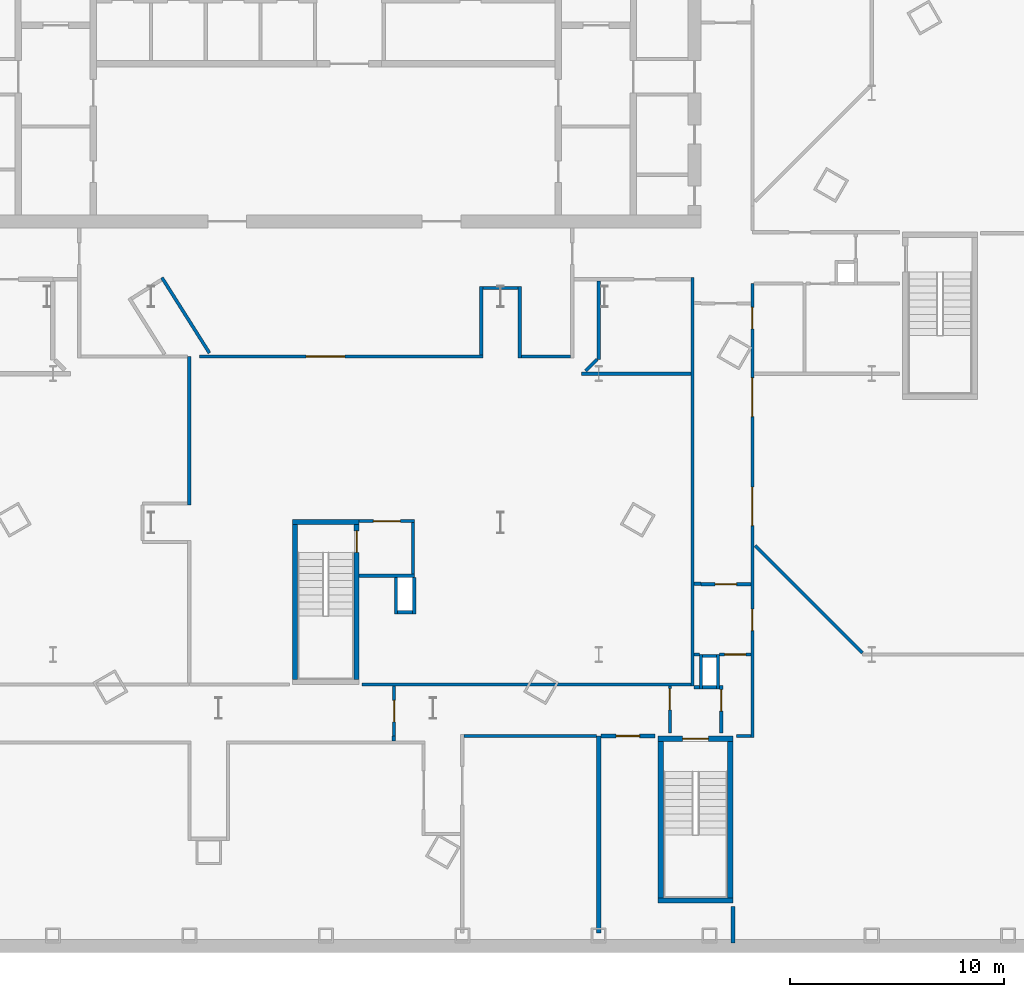
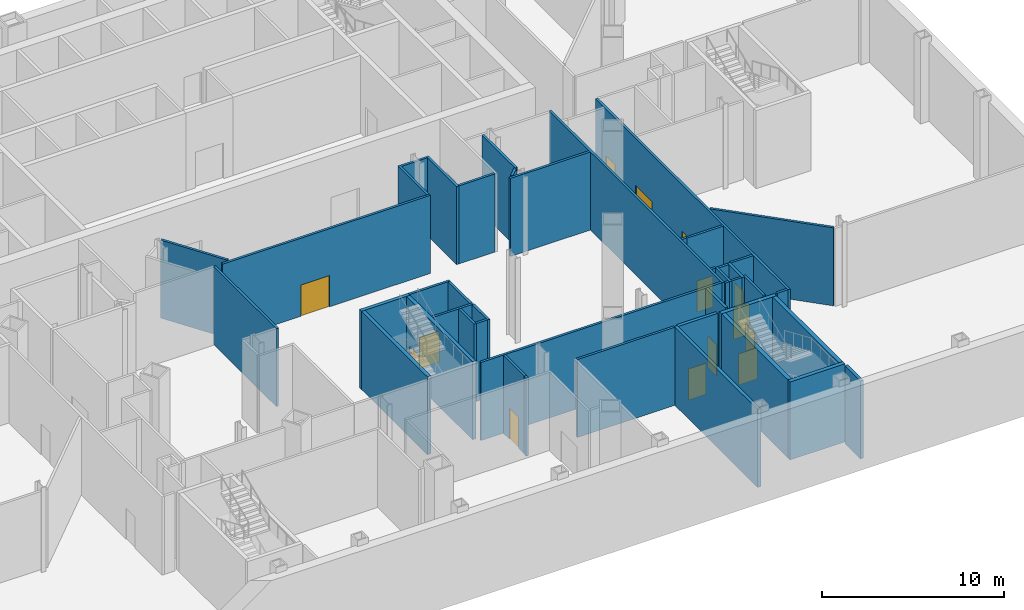
# One storey, part 7 of 18: 45 walls, 14 doors, 14 openings.
"""IFC4 building model written with IfcOpenShell, lengths in metres."""

from ifc_helpers import new_model, si_unit, direction, frame, frame_2d, origin, place, context, subcontext, project, spatial, rectangle, extrude, material, layer, layer_set, type_object, element, fill, save


model = new_model("IFC4")

# Units and contexts
model_context = context("Model", 3, precision=1e-05, world=origin(), true_north=direction((0.0, 1.0)))
body_context = subcontext(model_context, "Body", "Model", "MODEL_VIEW")
ifc_project = project(units=[si_unit("LENGTHUNIT", "METRE"), si_unit("AREAUNIT", "SQUARE_METRE"), si_unit("VOLUMEUNIT", "CUBIC_METRE"), si_unit("PLANEANGLEUNIT", "RADIAN"), si_unit("MASSUNIT", "GRAM", prefix="KILO")], contexts=[model_context])

# Site, building, storey
site_placement = place(None, origin())
site = spatial("IfcSite", under=ifc_project, at=site_placement, CompositionType="ELEMENT")
building_placement = place(site_placement, origin())
building = spatial("IfcBuilding", under=site, at=building_placement, Name="Njiva Tower", CompositionType="ELEMENT")
storey_placement = place(building_placement, frame((0.0, 0.0, -5.7)))
storey = spatial("IfcBuildingStorey", under=building, at=storey_placement, Name="B1", CompositionType="ELEMENT", Elevation=-5.7)

# Walls
ifc_material_1 = material(Name="Gypsum board on steel studs", Category="gypsum")
ifc_layer_1 = layer(ifc_material_1, 0.15)
ifc_layer_set_1 = layer_set([ifc_layer_1], Name="Gypsum board on steel studs")
wall_type_1 = type_object("IfcWallType", Name="WT21 Compartment wall 150", PredefinedType="PARTITIONING", material=ifc_layer_set_1)
wall_1_placement = place(storey_placement, frame((-7.642, -2.319, 0.0), z_axis=(0.0, 0.0, 1.0), x_axis=(0.532979114911, -0.846128396326, 0.0)))
element("IfcWall", 1, at=wall_1_placement, inside=storey, type_object=wall_type_1, Name="Partition B1-P056", PredefinedType="PARTITIONING", context=body_context, shape_type="SweptSolid", body=[
    extrude(rectangle(XDim=4.1578, YDim=0.15, at=frame_2d((2.0789, 0.0))), origin(), (0.0, 0.0, 1.0), 5.25),
])
wall_2_placement = place(storey_placement, frame((-6.367, -12.925, 0.0), z_axis=(0.0, 0.0, 1.0), x_axis=(0.0, 1.0, 0.0)))
element("IfcWall", 2, at=wall_2_placement, inside=storey, type_object=wall_type_1, Name="Partition B1-P058", PredefinedType="PARTITIONING", context=body_context, shape_type="SweptSolid", body=[
    extrude(rectangle(XDim=6.919, YDim=0.15, at=frame_2d((3.4595, 0.0))), origin(), (0.0, 0.0, 1.0), 5.25),
])

# Wall, opening, door
wall_3_placement = place(storey_placement, frame((-5.899, -6.0, 0.0), z_axis=(0.0, 0.0, 1.0), x_axis=(1.0, 0.0, 0.0)))
wall_3 = element("IfcWall", 3, at=wall_3_placement, inside=storey, type_object=wall_type_1, Name="Partition B1-P062", PredefinedType="PARTITIONING", context=body_context, shape_type="SweptSolid", body=[
    extrude(rectangle(XDim=13.224, YDim=0.15, at=frame_2d((6.612, 0.0))), origin(), (0.0, 0.0, 1.0), 5.25),
])
opening_1_placement = place(wall_3_placement, frame((4.985, 0.0, 0.0)))
opening_1 = element("IfcOpeningElement", 4, at=opening_1_placement, cuts=wall_3, Name="Opening B1-D016", PredefinedType="OPENING", context=body_context, shape_type="SweptSolid", body=[
    extrude(rectangle(XDim=1.8, YDim=2.1, at=frame_2d((0.9, 1.05))), frame((0.0, 0.085, 0.0), z_axis=(0.0, -1.0, 0.0), x_axis=(1.0, 0.0, 0.0)), (0.0, 0.0, 1.0), 0.17),
])
ifc_material_2 = material(Name="Steel fire door set", Category="steel")
door_type_1 = type_object("IfcDoorType", Name="D38 Fire door 1800x2100", OperationType="DOUBLE_DOOR_SINGLE_SWING", PredefinedType="DOOR", material=ifc_material_2)
door_1_placement = place(opening_1_placement, origin())
door_1 = element("IfcDoor", 5, at=door_1_placement, inside=storey, type_object=door_type_1, Name="Door B1-D016", OperationType="DOUBLE_DOOR_SINGLE_SWING", OverallHeight=2.1, OverallWidth=1.8, PredefinedType="DOOR", context=body_context, shape_type="SweptSolid", body=[
    extrude(rectangle(XDim=1.8, YDim=2.1, at=frame_2d((0.9, 1.05))), frame((0.0, 0.025, 0.0), z_axis=(0.0, -1.0, 0.0), x_axis=(1.0, 0.0, 0.0)), (0.0, 0.0, 1.0), 0.05),
])
fill(opening_1, door_1)

# Walls
wall_4_placement = place(storey_placement, frame((1.7, -21.3, 0.0), z_axis=(0.0, 0.0, 1.0), x_axis=(1.0, 0.0, 0.0)))
element("IfcWall", 6, at=wall_4_placement, inside=storey, type_object=wall_type_1, Name="Partition B1-P066", PredefinedType="PARTITIONING", context=body_context, shape_type="SweptSolid", body=[
    extrude(rectangle(XDim=15.325, YDim=0.15, at=frame_2d((7.6625, 0.0))), origin(), (0.0, 0.0, 1.0), 5.25),
])
wall_5_placement = place(storey_placement, frame((3.173, -23.925, 0.0), z_axis=(0.0, 0.0, 1.0), x_axis=(0.0, 1.0, 0.0)))
element("IfcWall", 7, at=wall_5_placement, inside=storey, type_object=wall_type_1, Name="Partition B1-P067", PredefinedType="PARTITIONING", context=body_context, shape_type="SweptSolid", body=[
    extrude(rectangle(XDim=0.225, YDim=0.15, at=frame_2d((0.1125, 0.0))), origin(), (0.0, 0.0, 1.0), 5.25),
])

# Wall, opening, door
wall_6_placement = place(storey_placement, frame((3.185, -23.7, 0.0), z_axis=(0.0, 0.0, 1.0), x_axis=(0.0, 1.0, 0.0)))
wall_6 = element("IfcWall", 8, at=wall_6_placement, inside=storey, type_object=wall_type_1, Name="Partition B1-P068", PredefinedType="PARTITIONING", context=body_context, shape_type="SweptSolid", body=[
    extrude(rectangle(XDim=2.325, YDim=0.15, at=frame_2d((1.1625, 0.0))), origin(), (0.0, 0.0, 1.0), 5.25),
])
opening_2_placement = place(wall_6_placement, frame((0.662, 0.0, 0.0)))
opening_2 = element("IfcOpeningElement", 9, at=opening_2_placement, cuts=wall_6, Name="Opening B1-D017", PredefinedType="OPENING", context=body_context, shape_type="SweptSolid", body=[
    extrude(rectangle(XDim=1.0, YDim=2.1, at=frame_2d((0.5, 1.05))), frame((0.0, 0.085, 0.0), z_axis=(0.0, -1.0, 0.0), x_axis=(1.0, 0.0, 0.0)), (0.0, 0.0, 1.0), 0.17),
])
door_type_2 = type_object("IfcDoorType", Name="D37 Fire door 1000x2100", OperationType="SINGLE_SWING_LEFT", PredefinedType="DOOR", material=ifc_material_2)
door_2_placement = place(opening_2_placement, origin())
door_2 = element("IfcDoor", 10, at=door_2_placement, inside=storey, type_object=door_type_2, Name="Door B1-D017", OperationType="SINGLE_SWING_LEFT", OverallHeight=2.1, OverallWidth=1.0, PredefinedType="DOOR", context=body_context, shape_type="SweptSolid", body=[
    extrude(rectangle(XDim=1.0, YDim=2.1, at=frame_2d((0.5, 1.05))), frame((0.0, 0.025, 0.0), z_axis=(0.0, -1.0, 0.0), x_axis=(1.0, 0.0, 0.0)), (0.0, 0.0, 1.0), 0.05),
])
fill(opening_2, door_2)

# Walls
wall_7_placement = place(storey_placement, frame((6.442, -23.7, 0.0), z_axis=(0.0, 0.0, 1.0), x_axis=(1.0, 0.0, 0.0)))
element("IfcWall", 11, at=wall_7_placement, inside=storey, type_object=wall_type_1, Name="Partition B1-P072", PredefinedType="PARTITIONING", context=body_context, shape_type="SweptSolid", body=[
    extrude(rectangle(XDim=6.191, YDim=0.15, at=frame_2d((3.0955, 0.0))), origin(), (0.0, 0.0, 1.0), 5.25),
])
wall_8_placement = place(storey_placement, frame((7.25, -5.925, 0.0), z_axis=(0.0, 0.0, 1.0), x_axis=(0.0, 1.0, 0.0)))
element("IfcWall", 12, at=wall_8_placement, inside=storey, type_object=wall_type_1, Name="Partition B1-P073", PredefinedType="PARTITIONING", context=body_context, shape_type="SweptSolid", body=[
    extrude(rectangle(XDim=3.2, YDim=0.15, at=frame_2d((1.6, 0.0))), origin(), (0.0, 0.0, 1.0), 5.25),
])
wall_9_placement = place(storey_placement, frame((7.325, -2.8, 0.0), z_axis=(0.0, 0.0, 1.0), x_axis=(1.0, 0.0, 0.0)))
element("IfcWall", 13, at=wall_9_placement, inside=storey, type_object=wall_type_1, Name="Partition B1-P074", PredefinedType="PARTITIONING", context=body_context, shape_type="SweptSolid", body=[
    extrude(rectangle(XDim=1.65, YDim=0.15, at=frame_2d((0.825, 0.0))), origin(), (0.0, 0.0, 1.0), 5.25),
])
wall_10_placement = place(storey_placement, frame((9.05, -6.075, 0.0), z_axis=(0.0, 0.0, 1.0), x_axis=(0.0, 1.0, 0.0)))
element("IfcWall", 14, at=wall_10_placement, inside=storey, type_object=wall_type_1, Name="Partition B1-P075", PredefinedType="PARTITIONING", context=body_context, shape_type="SweptSolid", body=[
    extrude(rectangle(XDim=3.35, YDim=0.15, at=frame_2d((1.675, 0.0))), origin(), (0.0, 0.0, 1.0), 5.25),
])
wall_11_placement = place(storey_placement, frame((9.125, -6.0, 0.0), z_axis=(0.0, 0.0, 1.0), x_axis=(1.0, 0.0, 0.0)))
element("IfcWall", 15, at=wall_11_placement, inside=storey, type_object=wall_type_1, Name="Partition B1-P076", PredefinedType="PARTITIONING", context=body_context, shape_type="SweptSolid", body=[
    extrude(rectangle(XDim=2.3, YDim=0.15, at=frame_2d((1.15, 0.0))), origin(), (0.0, 0.0, 1.0), 5.25),
])
wall_12_placement = place(storey_placement, frame((11.926, -6.8, 0.0), z_axis=(0.0, 0.0, 1.0), x_axis=(1.0, 0.0, 0.0)))
element("IfcWall", 16, at=wall_12_placement, inside=storey, type_object=wall_type_1, Name="Partition B1-P080", PredefinedType="PARTITIONING", context=body_context, shape_type="SweptSolid", body=[
    extrude(rectangle(XDim=5.099, YDim=0.15, at=frame_2d((2.5495, 0.0))), origin(), (0.0, 0.0, 1.0), 5.25),
])
wall_13_placement = place(storey_placement, frame((12.129, -6.672, 0.0), z_axis=(0.0, 0.0, 1.0), x_axis=(0.706438754443, 0.707774177419, 0.0)))
element("IfcWall", 17, at=wall_13_placement, inside=storey, type_object=wall_type_1, Name="Partition B1-P081", PredefinedType="PARTITIONING", context=body_context, shape_type="SweptSolid", body=[
    extrude(rectangle(XDim=0.7488, YDim=0.15, at=frame_2d((0.3744, 0.0))), origin(), (0.0, 0.0, 1.0), 5.25),
])
wall_14_placement = place(storey_placement, frame((12.733, -6.142, 0.0), z_axis=(0.0, 0.0, 1.0), x_axis=(0.0, 1.0, 0.0)))
element("IfcWall", 18, at=wall_14_placement, inside=storey, type_object=wall_type_1, Name="Partition B1-P083", PredefinedType="PARTITIONING", context=body_context, shape_type="SweptSolid", body=[
    extrude(rectangle(XDim=3.667, YDim=0.15, at=frame_2d((1.8335, 0.0))), origin(), (0.0, 0.0, 1.0), 5.25),
])

# Wall, opening, door
wall_15_placement = place(storey_placement, frame((16.05, -23.55, 0.0), z_axis=(0.0, 0.0, 1.0), x_axis=(0.0, 1.0, 0.0)))
wall_15 = element("IfcWall", 19, at=wall_15_placement, inside=storey, type_object=wall_type_1, Name="Partition B1-P085", PredefinedType="PARTITIONING", context=body_context, shape_type="SweptSolid", body=[
    extrude(rectangle(XDim=2.175, YDim=0.15, at=frame_2d((1.0875, 0.0))), origin(), (0.0, 0.0, 1.0), 5.25),
])
opening_3_placement = place(wall_15_placement, frame((1.063, 0.0, 0.0)))
opening_3 = element("IfcOpeningElement", 20, at=opening_3_placement, cuts=wall_15, Name="Opening B1-D023", PredefinedType="OPENING", context=body_context, shape_type="SweptSolid", body=[
    extrude(rectangle(XDim=1.0, YDim=2.1, at=frame_2d((0.5, 1.05))), frame((0.0, 0.085, 0.0), z_axis=(0.0, -1.0, 0.0), x_axis=(1.0, 0.0, 0.0)), (0.0, 0.0, 1.0), 0.17),
])
ifc_material_3 = material(Name="Glazed steel fire door", Category="steel")
door_type_3 = type_object("IfcDoorType", Name="D41 Glazed fire door 1000x2100", OperationType="SINGLE_SWING_LEFT", PredefinedType="DOOR", material=ifc_material_3)
door_3_placement = place(opening_3_placement, origin())
door_3 = element("IfcDoor", 21, at=door_3_placement, inside=storey, type_object=door_type_3, Name="Door B1-D023", OperationType="SINGLE_SWING_RIGHT", OverallHeight=2.1, OverallWidth=1.0, PredefinedType="DOOR", context=body_context, shape_type="SweptSolid", body=[
    extrude(rectangle(XDim=1.0, YDim=2.1, at=frame_2d((0.5, 1.05))), frame((0.0, 0.025, 0.0), z_axis=(0.0, -1.0, 0.0), x_axis=(1.0, 0.0, 0.0)), (0.0, 0.0, 1.0), 0.05),
])
fill(opening_3, door_3)

# Walls
wall_16_placement = place(storey_placement, frame((17.1, -21.375, 0.0), z_axis=(0.0, 0.0, 1.0), x_axis=(0.0, 1.0, 0.0)))
element("IfcWall", 22, at=wall_16_placement, inside=storey, type_object=wall_type_1, Name="Partition B1-P086", PredefinedType="PARTITIONING", context=body_context, shape_type="SweptSolid", body=[
    extrude(rectangle(XDim=19.05, YDim=0.15, at=frame_2d((9.525, 0.0))), origin(), (0.0, 0.0, 1.0), 5.25),
])
for number, where, z_axis, x_axis, name in (
    (23, (17.175, -21.425, 0.0), (0.0, 0.0, 1.0), (1.0, 0.0, 0.0), "Partition B1-P087"),
    (24, (17.175, -19.9, 0.0), (0.0, 0.0, 1.0), (1.0, 0.0, 0.0), "Partition B1-P088"),
):
    element("IfcWall", number, at=place(storey_placement, frame(where, z_axis=z_axis, x_axis=x_axis)), inside=storey, type_object=wall_type_1, Name=name, PredefinedType="PARTITIONING", context=body_context, shape_type="SweptSolid", body=[
        extrude(rectangle(XDim=0.25, YDim=0.15, at=frame_2d((0.125, 0.0))), origin(), (0.0, 0.0, 1.0), 5.25),
    ])
wall_17_placement = place(storey_placement, frame((17.175, -16.6, 0.0), z_axis=(0.0, 0.0, 1.0), x_axis=(1.0, 0.0, 0.0)))
element("IfcWall", 25, at=wall_17_placement, inside=storey, type_object=wall_type_1, Name="Partition B1-P089", PredefinedType="PARTITIONING", context=body_context, shape_type="SweptSolid", body=[
    extrude(rectangle(XDim=0.325, YDim=0.15, at=frame_2d((0.1625, 0.0))), origin(), (0.0, 0.0, 1.0), 5.25),
])

# Wall, opening, door
wall_18_placement = place(storey_placement, frame((17.5, -16.625, 0.0), z_axis=(0.0, 0.0, 1.0), x_axis=(1.0, 0.0, 0.0)))
wall_18 = element("IfcWall", 26, at=wall_18_placement, inside=storey, type_object=wall_type_1, Name="Partition B1-P092", PredefinedType="PARTITIONING", context=body_context, shape_type="SweptSolid", body=[
    extrude(rectangle(XDim=2.325, YDim=0.15, at=frame_2d((1.1625, 0.0))), origin(), (0.0, 0.0, 1.0), 5.25),
])
opening_4_placement = place(wall_18_placement, frame((0.662, 0.0, 0.0)))
opening_4 = element("IfcOpeningElement", 27, at=opening_4_placement, cuts=wall_18, Name="Opening B1-D024", PredefinedType="OPENING", context=body_context, shape_type="SweptSolid", body=[
    extrude(rectangle(XDim=1.0, YDim=2.1, at=frame_2d((0.5, 1.05))), frame((0.0, 0.085, 0.0), z_axis=(0.0, -1.0, 0.0), x_axis=(1.0, 0.0, 0.0)), (0.0, 0.0, 1.0), 0.17),
])
door_4_placement = place(opening_4_placement, origin())
door_4 = element("IfcDoor", 28, at=door_4_placement, inside=storey, type_object=door_type_2, Name="Door B1-D024", OperationType="SINGLE_SWING_RIGHT", OverallHeight=2.1, OverallWidth=1.0, PredefinedType="DOOR", context=body_context, shape_type="SweptSolid", body=[
    extrude(rectangle(XDim=1.0, YDim=2.1, at=frame_2d((0.5, 1.05))), frame((0.0, 0.025, 0.0), z_axis=(0.0, -1.0, 0.0), x_axis=(1.0, 0.0, 0.0)), (0.0, 0.0, 1.0), 0.05),
])
fill(opening_4, door_4)

wall_19_placement = place(storey_placement, frame((18.375, -19.9, 0.0), z_axis=(0.0, 0.0, 1.0), x_axis=(1.0, 0.0, 0.0)))
wall_19 = element("IfcWall", 29, at=wall_19_placement, inside=storey, type_object=wall_type_1, Name="Partition B1-P099", PredefinedType="PARTITIONING", context=body_context, shape_type="SweptSolid", body=[
    extrude(rectangle(XDim=1.45, YDim=0.15, at=frame_2d((0.725, 0.0))), origin(), (0.0, 0.0, 1.0), 5.25),
])
opening_5_placement = place(wall_19_placement, frame((0.225, 0.0, 0.0)))
opening_5 = element("IfcOpeningElement", 30, at=opening_5_placement, cuts=wall_19, Name="Opening B1-D027", PredefinedType="OPENING", context=body_context, shape_type="SweptSolid", body=[
    extrude(rectangle(XDim=1.0, YDim=2.1, at=frame_2d((0.5, 1.05))), frame((0.0, 0.085, 0.0), z_axis=(0.0, -1.0, 0.0), x_axis=(1.0, 0.0, 0.0)), (0.0, 0.0, 1.0), 0.17),
])
door_5_placement = place(opening_5_placement, origin())
door_5 = element("IfcDoor", 31, at=door_5_placement, inside=storey, type_object=door_type_2, Name="Door B1-D027", OperationType="SINGLE_SWING_LEFT", OverallHeight=2.1, OverallWidth=1.0, PredefinedType="DOOR", context=body_context, shape_type="SweptSolid", body=[
    extrude(rectangle(XDim=1.0, YDim=2.1, at=frame_2d((0.5, 1.05))), frame((0.0, 0.025, 0.0), z_axis=(0.0, -1.0, 0.0), x_axis=(1.0, 0.0, 0.0)), (0.0, 0.0, 1.0), 0.05),
])
fill(opening_5, door_5)

wall_20_placement = place(storey_placement, frame((18.45, -23.55, 0.0), z_axis=(0.0, 0.0, 1.0), x_axis=(0.0, 1.0, 0.0)))
wall_20 = element("IfcWall", 32, at=wall_20_placement, inside=storey, type_object=wall_type_1, Name="Partition B1-P100", PredefinedType="PARTITIONING", context=body_context, shape_type="SweptSolid", body=[
    extrude(rectangle(XDim=2.2, YDim=0.15, at=frame_2d((1.1, 0.0))), origin(), (0.0, 0.0, 1.0), 5.25),
])
opening_6_placement = place(wall_20_placement, frame((1.013, 0.0, 0.0)))
opening_6 = element("IfcOpeningElement", 33, at=opening_6_placement, cuts=wall_20, Name="Opening B1-D028", PredefinedType="OPENING", context=body_context, shape_type="SweptSolid", body=[
    extrude(rectangle(XDim=1.0, YDim=2.1, at=frame_2d((0.5, 1.05))), frame((0.0, 0.085, 0.0), z_axis=(0.0, -1.0, 0.0), x_axis=(1.0, 0.0, 0.0)), (0.0, 0.0, 1.0), 0.17),
])
door_6_placement = place(opening_6_placement, origin())
door_6 = element("IfcDoor", 34, at=door_6_placement, inside=storey, type_object=door_type_3, Name="Door B1-D028", OperationType="SINGLE_SWING_LEFT", OverallHeight=2.1, OverallWidth=1.0, PredefinedType="DOOR", context=body_context, shape_type="SweptSolid", body=[
    extrude(rectangle(XDim=1.0, YDim=2.1, at=frame_2d((0.5, 1.05))), frame((0.0, 0.025, 0.0), z_axis=(0.0, -1.0, 0.0), x_axis=(1.0, 0.0, 0.0)), (0.0, 0.0, 1.0), 0.05),
])
fill(opening_6, door_6)

# Wall
wall_21_placement = place(storey_placement, frame((19.15, -23.7, 0.0), z_axis=(0.0, 0.0, 1.0), x_axis=(1.0, 0.0, 0.0)))
element("IfcWall", 35, at=wall_21_placement, inside=storey, type_object=wall_type_1, Name="Partition B1-P102", PredefinedType="PARTITIONING", context=body_context, shape_type="SweptSolid", body=[
    extrude(rectangle(XDim=0.675, YDim=0.15, at=frame_2d((0.3375, 0.0))), origin(), (0.0, 0.0, 1.0), 5.25),
])

# Wall, openings, doors
wall_22_placement = place(storey_placement, frame((19.9, -23.775, 0.0), z_axis=(0.0, 0.0, 1.0), x_axis=(0.0, 1.0, 0.0)))
wall_22 = element("IfcWall", 36, at=wall_22_placement, inside=storey, type_object=wall_type_1, Name="Partition B1-P103", PredefinedType="PARTITIONING", context=body_context, shape_type="SweptSolid", body=[
    extrude(rectangle(XDim=21.187, YDim=0.15, at=frame_2d((10.5935, 0.0))), origin(), (0.0, 0.0, 1.0), 5.25),
])
opening_7_placement = place(wall_22_placement, frame((4.987, 0.0, 0.0)))
opening_7 = element("IfcOpeningElement", 37, at=opening_7_placement, cuts=wall_22, Name="Opening B1-D029", PredefinedType="OPENING", context=body_context, shape_type="SweptSolid", body=[
    extrude(rectangle(XDim=1.0, YDim=2.1, at=frame_2d((0.5, 1.05))), frame((0.0, 0.085, 0.0), z_axis=(0.0, -1.0, 0.0), x_axis=(1.0, 0.0, 0.0)), (0.0, 0.0, 1.0), 0.17),
])
opening_8_placement = place(wall_22_placement, frame((9.886, 0.0, 0.0)))
opening_8 = element("IfcOpeningElement", 38, at=opening_8_placement, cuts=wall_22, Name="Opening B1-D030", PredefinedType="OPENING", context=body_context, shape_type="SweptSolid", body=[
    extrude(rectangle(XDim=1.8, YDim=2.1, at=frame_2d((0.9, 1.05))), frame((0.0, 0.085, 0.0), z_axis=(0.0, -1.0, 0.0), x_axis=(1.0, 0.0, 0.0)), (0.0, 0.0, 1.0), 0.17),
])
opening_9_placement = place(wall_22_placement, frame((14.973, 0.0, 0.0)))
opening_9 = element("IfcOpeningElement", 39, at=opening_9_placement, cuts=wall_22, Name="Opening B1-D031", PredefinedType="OPENING", context=body_context, shape_type="SweptSolid", body=[
    extrude(rectangle(XDim=1.8, YDim=2.1, at=frame_2d((0.9, 1.05))), frame((0.0, 0.085, 0.0), z_axis=(0.0, -1.0, 0.0), x_axis=(1.0, 0.0, 0.0)), (0.0, 0.0, 1.0), 0.17),
])
opening_10_placement = place(wall_22_placement, frame((19.062, 0.0, 0.0)))
opening_10 = element("IfcOpeningElement", 40, at=opening_10_placement, cuts=wall_22, Name="Opening B1-D032", PredefinedType="OPENING", context=body_context, shape_type="SweptSolid", body=[
    extrude(rectangle(XDim=1.0, YDim=2.1, at=frame_2d((0.5, 1.05))), frame((0.0, 0.085, 0.0), z_axis=(0.0, -1.0, 0.0), x_axis=(1.0, 0.0, 0.0)), (0.0, 0.0, 1.0), 0.17),
])
door_7_placement = place(opening_7_placement, origin())
door_7 = element("IfcDoor", 41, at=door_7_placement, inside=storey, type_object=door_type_2, Name="Door B1-D029", OperationType="SINGLE_SWING_LEFT", OverallHeight=2.1, OverallWidth=1.0, PredefinedType="DOOR", context=body_context, shape_type="SweptSolid", body=[
    extrude(rectangle(XDim=1.0, YDim=2.1, at=frame_2d((0.5, 1.05))), frame((0.0, 0.025, 0.0), z_axis=(0.0, -1.0, 0.0), x_axis=(1.0, 0.0, 0.0)), (0.0, 0.0, 1.0), 0.05),
])
fill(opening_7, door_7)
door_8_placement = place(opening_10_placement, origin())
door_8 = element("IfcDoor", 42, at=door_8_placement, inside=storey, type_object=door_type_2, Name="Door B1-D032", OperationType="SINGLE_SWING_RIGHT", OverallHeight=2.1, OverallWidth=1.0, PredefinedType="DOOR", context=body_context, shape_type="SweptSolid", body=[
    extrude(rectangle(XDim=1.0, YDim=2.1, at=frame_2d((0.5, 1.05))), frame((0.0, 0.025, 0.0), z_axis=(0.0, -1.0, 0.0), x_axis=(1.0, 0.0, 0.0)), (0.0, 0.0, 1.0), 0.05),
])
fill(opening_10, door_8)
door_9_placement = place(opening_8_placement, origin())
door_9 = element("IfcDoor", 43, at=door_9_placement, inside=storey, type_object=door_type_1, Name="Door B1-D030", OperationType="DOUBLE_DOOR_SINGLE_SWING", OverallHeight=2.1, OverallWidth=1.8, PredefinedType="DOOR", context=body_context, shape_type="SweptSolid", body=[
    extrude(rectangle(XDim=1.8, YDim=2.1, at=frame_2d((0.9, 1.05))), frame((0.0, 0.025, 0.0), z_axis=(0.0, -1.0, 0.0), x_axis=(1.0, 0.0, 0.0)), (0.0, 0.0, 1.0), 0.05),
])
fill(opening_8, door_9)
door_10_placement = place(opening_9_placement, origin())
door_10 = element("IfcDoor", 44, at=door_10_placement, inside=storey, type_object=door_type_1, Name="Door B1-D031", OperationType="DOUBLE_DOOR_SINGLE_SWING", OverallHeight=2.1, OverallWidth=1.8, PredefinedType="DOOR", context=body_context, shape_type="SweptSolid", body=[
    extrude(rectangle(XDim=1.8, YDim=2.1, at=frame_2d((0.9, 1.05))), frame((0.0, 0.025, 0.0), z_axis=(0.0, -1.0, 0.0), x_axis=(1.0, 0.0, 0.0)), (0.0, 0.0, 1.0), 0.05),
])
fill(opening_9, door_10)

# Walls
wall_23_placement = place(storey_placement, frame((20.028, -14.827, 0.0), z_axis=(0.0, 0.0, 1.0), x_axis=(0.707106781187, -0.707106781187, 0.0)))
element("IfcWall", 45, at=wall_23_placement, inside=storey, type_object=wall_type_1, Name="Partition B1-P112", PredefinedType="PARTITIONING", context=body_context, shape_type="SweptSolid", body=[
    extrude(rectangle(XDim=7.0682, YDim=0.15, at=frame_2d((3.5341, 0.0))), origin(), (0.0, 0.0, 1.0), 5.25),
])
ifc_material_4 = material(Name="Blockwork", Category="masonry")
ifc_layer_2 = layer(ifc_material_4, 0.2)
ifc_layer_set_2 = layer_set([ifc_layer_2], Name="Blockwork")
wall_type_2 = type_object("IfcWallType", Name="WT22 Plant room wall 200", PredefinedType="PARTITIONING", material=ifc_layer_set_2)
wall_24_placement = place(storey_placement, frame((12.733, -32.9, 0.0), z_axis=(0.0, 0.0, 1.0), x_axis=(0.0, 1.0, 0.0)))
element("IfcWall", 46, at=wall_24_placement, inside=storey, type_object=wall_type_2, Name="Partition B1-P082", PredefinedType="PARTITIONING", context=body_context, shape_type="SweptSolid", body=[
    extrude(rectangle(XDim=9.2, YDim=0.2, at=frame_2d((4.6, 0.0))), origin(), (0.0, 0.0, 1.0), 5.25),
])

# Wall, opening, door
wall_25_placement = place(storey_placement, frame((12.833, -23.7, 0.0), z_axis=(0.0, 0.0, 1.0), x_axis=(1.0, 0.0, 0.0)))
wall_25 = element("IfcWall", 47, at=wall_25_placement, inside=storey, type_object=wall_type_2, Name="Partition B1-P084", PredefinedType="PARTITIONING", context=body_context, shape_type="SweptSolid", body=[
    extrude(rectangle(XDim=2.517, YDim=0.2, at=frame_2d((1.2585, 0.0))), origin(), (0.0, 0.0, 1.0), 5.25),
])
opening_11_placement = place(wall_25_placement, frame((0.708, 0.0, 0.0)))
opening_11 = element("IfcOpeningElement", 48, at=opening_11_placement, cuts=wall_25, Name="Opening B1-D022", PredefinedType="OPENING", context=body_context, shape_type="SweptSolid", body=[
    extrude(rectangle(XDim=1.1, YDim=2.1, at=frame_2d((0.55, 1.05))), frame((0.0, 0.11, 0.0), z_axis=(0.0, -1.0, 0.0), x_axis=(1.0, 0.0, 0.0)), (0.0, 0.0, 1.0), 0.22),
])
ifc_material_5 = material(Name="Steel door set", Category="steel")
door_type_4 = type_object("IfcDoorType", Name="D34 Plant door 1100x2100", OperationType="SINGLE_SWING_LEFT", PredefinedType="DOOR", material=ifc_material_5)
door_11_placement = place(opening_11_placement, origin())
door_11 = element("IfcDoor", 49, at=door_11_placement, inside=storey, type_object=door_type_4, Name="Door B1-D022", OperationType="SINGLE_SWING_LEFT", OverallHeight=2.1, OverallWidth=1.1, PredefinedType="DOOR", context=body_context, shape_type="SweptSolid", body=[
    extrude(rectangle(XDim=1.1, YDim=2.1, at=frame_2d((0.55, 1.05))), frame((0.0, 0.025, 0.0), z_axis=(0.0, -1.0, 0.0), x_axis=(1.0, 0.0, 0.0)), (0.0, 0.0, 1.0), 0.05),
])
fill(opening_11, door_11)

# Walls
wall_26_placement = place(storey_placement, frame((19.0, -33.348, 0.0), z_axis=(0.0, 0.0, 1.0), x_axis=(0.0, 1.0, 0.0)))
element("IfcWall", 50, at=wall_26_placement, inside=storey, type_object=wall_type_2, Name="Partition B1-P101", PredefinedType="PARTITIONING", context=body_context, shape_type="SweptSolid", body=[
    extrude(rectangle(XDim=1.698, YDim=0.2, at=frame_2d((0.849, 0.0))), origin(), (0.0, 0.0, 1.0), 5.25),
])
ifc_layer_3 = layer(ifc_material_1, 0.15)
ifc_layer_set_3 = layer_set([ifc_layer_3], Name="Gypsum board on steel studs")
wall_type_3 = type_object("IfcWallType", Name="WT24 Riser room wall 150", PredefinedType="PARTITIONING", material=ifc_layer_set_3)
wall_27_placement = place(storey_placement, frame((17.5, -21.5, 0.0), z_axis=(0.0, 0.0, 1.0), x_axis=(0.0, 1.0, 0.0)))
element("IfcWall", 51, at=wall_27_placement, inside=storey, type_object=wall_type_3, Name="Partition B1-P091", PredefinedType="PARTITIONING", context=body_context, shape_type="SweptSolid", body=[
    extrude(rectangle(XDim=1.6, YDim=0.15, at=frame_2d((0.8, 0.0))), origin(), (0.0, 0.0, 1.0), 5.25),
])
for number, where, z_axis, x_axis, name in (
    (52, (17.575, -21.425, 0.0), (0.0, 0.0, 1.0), (1.0, 0.0, 0.0), "Partition B1-P096"),
    (53, (17.575, -19.975, 0.0), (0.0, 0.0, 1.0), (1.0, 0.0, 0.0), "Partition B1-P097"),
):
    element("IfcWall", number, at=place(storey_placement, frame(where, z_axis=z_axis, x_axis=x_axis)), inside=storey, type_object=wall_type_3, Name=name, PredefinedType="PARTITIONING", context=body_context, shape_type="SweptSolid", body=[
        extrude(rectangle(XDim=0.65, YDim=0.15, at=frame_2d((0.325, 0.0))), origin(), (0.0, 0.0, 1.0), 5.25),
    ])
wall_28_placement = place(storey_placement, frame((18.3, -21.5, 0.0), z_axis=(0.0, 0.0, 1.0), x_axis=(0.0, 1.0, 0.0)))
element("IfcWall", 54, at=wall_28_placement, inside=storey, type_object=wall_type_3, Name="Partition B1-P098", PredefinedType="PARTITIONING", context=body_context, shape_type="SweptSolid", body=[
    extrude(rectangle(XDim=1.6, YDim=0.15, at=frame_2d((0.8, 0.0))), origin(), (0.0, 0.0, 1.0), 5.25),
])
ifc_layer_4 = layer(ifc_material_4, 0.15)
ifc_layer_set_4 = layer_set([ifc_layer_4], Name="Blockwork")
wall_type_4 = type_object("IfcWallType", Name="WT4 Stair partition 150", PredefinedType="PARTITIONING", material=ifc_layer_set_4)
wall_29_placement = place(storey_placement, frame((1.55, -16.225, 0.0), z_axis=(0.0, 0.0, 1.0), x_axis=(1.0, 0.0, 0.0)))
element("IfcWall", 55, at=wall_29_placement, inside=storey, type_object=wall_type_4, Name="Stair C vestibule wall south", PredefinedType="PARTITIONING", context=body_context, shape_type="SweptSolid", body=[
    extrude(rectangle(XDim=2.6, YDim=0.15, at=frame_2d((1.3, 0.0))), origin(), (0.0, 0.0, 1.0), 5.25),
])
wall_30_placement = place(storey_placement, frame((4.075, -16.15, 0.0), z_axis=(0.0, 0.0, 1.0), x_axis=(0.0, 1.0, 0.0)))
element("IfcWall", 56, at=wall_30_placement, inside=storey, type_object=wall_type_4, Name="Stair C vestibule wall east", PredefinedType="PARTITIONING", context=body_context, shape_type="SweptSolid", body=[
    extrude(rectangle(XDim=2.4, YDim=0.15, at=frame_2d((1.2, 0.0))), origin(), (0.0, 0.0, 1.0), 5.25),
])

# Wall, opening, door
wall_31_placement = place(storey_placement, frame((1.55, -13.675, 0.0), z_axis=(0.0, 0.0, 1.0), x_axis=(1.0, 0.0, 0.0)))
wall_31 = element("IfcWall", 57, at=wall_31_placement, inside=storey, type_object=wall_type_4, Name="Stair C vestibule wall north", PredefinedType="PARTITIONING", context=body_context, shape_type="SweptSolid", body=[
    extrude(rectangle(XDim=2.6, YDim=0.15, at=frame_2d((1.3, 0.0))), origin(), (0.0, 0.0, 1.0), 5.25),
])
opening_12_placement = place(wall_31_placement, frame((0.675, 0.0, 0.0)))
opening_12 = element("IfcOpeningElement", 58, at=opening_12_placement, cuts=wall_31, Name="Opening B1-D938", PredefinedType="OPENING", context=body_context, shape_type="SweptSolid", body=[
    extrude(rectangle(XDim=1.25, YDim=2.1, at=frame_2d((0.625, 1.05))), frame((0.0, 0.085, 0.0), z_axis=(0.0, -1.0, 0.0), x_axis=(1.0, 0.0, 0.0)), (0.0, 0.0, 1.0), 0.17),
])
door_type_5 = type_object("IfcDoorType", Name="D8 Vestibule corridor door 1250x2100 glazed", OperationType="SINGLE_SWING_LEFT", PredefinedType="DOOR", material=ifc_material_3)
door_12_placement = place(opening_12_placement, origin())
door_12 = element("IfcDoor", 59, at=door_12_placement, inside=storey, type_object=door_type_5, Name="Stair vestibule corridor door", OperationType="SINGLE_SWING_RIGHT", OverallHeight=2.1, OverallWidth=1.25, PredefinedType="DOOR", context=body_context, shape_type="SweptSolid", body=[
    extrude(rectangle(XDim=1.25, YDim=2.1, at=frame_2d((0.625, 1.05))), frame((0.0, 0.025, 0.0), z_axis=(0.0, -1.0, 0.0), x_axis=(1.0, 0.0, 0.0)), (0.0, 0.0, 1.0), 0.05),
])
fill(opening_12, door_12)

# Walls
wall_32_placement = place(storey_placement, frame((3.275, -18.0, 0.0), z_axis=(0.0, 0.0, 1.0), x_axis=(0.0, 1.0, 0.0)))
element("IfcWall", 60, at=wall_32_placement, inside=storey, type_object=wall_type_4, Name="Stair C pressurisation shaft wall", PredefinedType="PARTITIONING", context=body_context, shape_type="SweptSolid", body=[
    extrude(rectangle(XDim=1.7, YDim=0.15, at=frame_2d((0.85, 0.0))), origin(), (0.0, 0.0, 1.0), 5.25),
])
wall_33_placement = place(storey_placement, frame((3.35, -17.925, 0.0), z_axis=(0.0, 0.0, 1.0), x_axis=(1.0, 0.0, 0.0)))
element("IfcWall", 61, at=wall_33_placement, inside=storey, type_object=wall_type_4, Name="Stair C pressurisation shaft wall", PredefinedType="PARTITIONING", context=body_context, shape_type="SweptSolid", body=[
    extrude(rectangle(XDim=0.7, YDim=0.15, at=frame_2d((0.35, 0.0))), origin(), (0.0, 0.0, 1.0), 5.25),
])
wall_34_placement = place(storey_placement, frame((4.125, -18.0, 0.0), z_axis=(0.0, 0.0, 1.0), x_axis=(0.0, 1.0, 0.0)))
element("IfcWall", 62, at=wall_34_placement, inside=storey, type_object=wall_type_4, Name="Stair C pressurisation shaft wall", PredefinedType="PARTITIONING", context=body_context, shape_type="SweptSolid", body=[
    extrude(rectangle(XDim=1.7, YDim=0.15, at=frame_2d((0.85, 0.0))), origin(), (0.0, 0.0, 1.0), 5.25),
])
ifc_material_6 = material(Name="Concrete C40/50", Category="concrete")
ifc_layer_5 = layer(ifc_material_6, 0.225)
ifc_layer_set_5 = layer_set([ifc_layer_5], Name="Concrete C40/50")
wall_type_5 = type_object("IfcWallType", Name="WT8 Stair enclosure wall 225", PredefinedType="SHEAR", material=ifc_layer_set_5)
wall_35_placement = place(storey_placement, frame((-1.4375, -21.075, 0.0), z_axis=(0.0, 0.0, 1.0), x_axis=(0.0, 1.0, 0.0)))
element("IfcWall", 63, at=wall_35_placement, inside=storey, type_object=wall_type_5, Name="Stair C wall west", PredefinedType="SHEAR", context=body_context, shape_type="SweptSolid", body=[
    extrude(rectangle(XDim=7.25, YDim=0.225, at=frame_2d((3.625, 0.0))), origin(), (0.0, 0.0, 1.0), 5.25),
])

# Wall, opening, door
wall_36_placement = place(storey_placement, frame((1.4375, -21.075, 0.0), z_axis=(0.0, 0.0, 1.0), x_axis=(0.0, 1.0, 0.0)))
wall_36 = element("IfcWall", 64, at=wall_36_placement, inside=storey, type_object=wall_type_5, Name="Stair C wall east", PredefinedType="SHEAR", context=body_context, shape_type="SweptSolid", body=[
    extrude(rectangle(XDim=7.25, YDim=0.225, at=frame_2d((3.625, 0.0))), origin(), (0.0, 0.0, 1.0), 5.25),
])
opening_13_placement = place(wall_36_placement, frame((5.94, 0.0, 0.0)))
opening_13 = element("IfcOpeningElement", 65, at=opening_13_placement, cuts=wall_36, Name="Opening B1-D937", PredefinedType="OPENING", context=body_context, shape_type="SweptSolid", body=[
    extrude(rectangle(XDim=1.0, YDim=2.1, at=frame_2d((0.5, 1.05))), frame((0.0, 0.1225, 0.0), z_axis=(0.0, -1.0, 0.0), x_axis=(1.0, 0.0, 0.0)), (0.0, 0.0, 1.0), 0.245),
])
door_type_6 = type_object("IfcDoorType", Name="D9 Stair vestibule door 1000x2100 glazed", OperationType="SINGLE_SWING_LEFT", PredefinedType="DOOR", material=ifc_material_3)
door_13_placement = place(opening_13_placement, origin())
door_13 = element("IfcDoor", 66, at=door_13_placement, inside=storey, type_object=door_type_6, Name="Stair C door", OperationType="SINGLE_SWING_LEFT", OverallHeight=2.1, OverallWidth=1.0, PredefinedType="DOOR", context=body_context, shape_type="SweptSolid", body=[
    extrude(rectangle(XDim=1.0, YDim=2.1, at=frame_2d((0.5, 1.05))), frame((0.0, 0.025, 0.0), z_axis=(0.0, -1.0, 0.0), x_axis=(1.0, 0.0, 0.0)), (0.0, 0.0, 1.0), 0.05),
])
fill(opening_13, door_13)

# Walls
wall_37_placement = place(storey_placement, frame((-1.55, -13.7125, 0.0), z_axis=(0.0, 0.0, 1.0), x_axis=(1.0, 0.0, 0.0)))
element("IfcWall", 67, at=wall_37_placement, inside=storey, type_object=wall_type_5, Name="Stair C wall north", PredefinedType="SHEAR", context=body_context, shape_type="SweptSolid", body=[
    extrude(rectangle(XDim=3.1, YDim=0.225, at=frame_2d((1.55, 0.0))), origin(), (0.0, 0.0, 1.0), 5.25),
])
ifc_layer_6 = layer(ifc_material_6, 0.25)
ifc_layer_set_6 = layer_set([ifc_layer_6], Name="Concrete C40/50")
wall_type_6 = type_object("IfcWallType", Name="WT9 Stair enclosure wall 250", PredefinedType="SHEAR", material=ifc_layer_set_6)
for number, where, z_axis, x_axis, name in (
    (68, (15.625, -31.25, 0.0), (0.0, 0.0, 1.0), (0.0, 1.0, 0.0), "Stair E wall west"),
    (69, (18.875, -31.25, 0.0), (0.0, 0.0, 1.0), (0.0, 1.0, 0.0), "Stair E wall east"),
):
    element("IfcWall", number, at=place(storey_placement, frame(where, z_axis=z_axis, x_axis=x_axis)), inside=storey, type_object=wall_type_6, Name=name, PredefinedType="SHEAR", context=body_context, shape_type="SweptSolid", body=[
        extrude(rectangle(XDim=7.3, YDim=0.25, at=frame_2d((3.65, 0.0))), origin(), (0.0, 0.0, 1.0), 5.25),
    ])
wall_38_placement = place(storey_placement, frame((15.5, -31.375, 0.0), z_axis=(0.0, 0.0, 1.0), x_axis=(1.0, 0.0, 0.0)))
element("IfcWall", 70, at=wall_38_placement, inside=storey, type_object=wall_type_6, Name="Stair E wall south", PredefinedType="SHEAR", context=body_context, shape_type="SweptSolid", body=[
    extrude(rectangle(XDim=3.5, YDim=0.25, at=frame_2d((1.75, 0.0))), origin(), (0.0, 0.0, 1.0), 5.25),
])

# Wall, opening, door
wall_39_placement = place(storey_placement, frame((15.5, -23.825, 0.0), z_axis=(0.0, 0.0, 1.0), x_axis=(1.0, 0.0, 0.0)))
wall_39 = element("IfcWall", 71, at=wall_39_placement, inside=storey, type_object=wall_type_6, Name="Stair E wall north", PredefinedType="SHEAR", context=body_context, shape_type="SweptSolid", body=[
    extrude(rectangle(XDim=3.5, YDim=0.25, at=frame_2d((1.75, 0.0))), origin(), (0.0, 0.0, 1.0), 5.25),
])
opening_14_placement = place(wall_39_placement, frame((1.15, 0.0, 0.0)))
opening_14 = element("IfcOpeningElement", 72, at=opening_14_placement, cuts=wall_39, Name="Opening B1-D940", PredefinedType="OPENING", context=body_context, shape_type="SweptSolid", body=[
    extrude(rectangle(XDim=1.2, YDim=2.1, at=frame_2d((0.6, 1.05))), frame((0.0, 0.135, 0.0), z_axis=(0.0, -1.0, 0.0), x_axis=(1.0, 0.0, 0.0)), (0.0, 0.0, 1.0), 0.27),
])
ifc_material_7 = material(Name="Steel door, painted", Category="steel")
door_type_7 = type_object("IfcDoorType", Name="D1 Stair door 1200x2100", OperationType="SINGLE_SWING_LEFT", PredefinedType="DOOR", material=ifc_material_7)
door_14_placement = place(opening_14_placement, origin())
door_14 = element("IfcDoor", 73, at=door_14_placement, inside=storey, type_object=door_type_7, Name="Stair E door", OperationType="SINGLE_SWING_LEFT", OverallHeight=2.1, OverallWidth=1.2, PredefinedType="DOOR", context=body_context, shape_type="SweptSolid", body=[
    extrude(rectangle(XDim=1.2, YDim=2.1, at=frame_2d((0.6, 1.05))), frame((0.0, 0.025, 0.0), z_axis=(0.0, -1.0, 0.0), x_axis=(1.0, 0.0, 0.0)), (0.0, 0.0, 1.0), 0.05),
])
fill(opening_14, door_14)

save(model, "model.ifc")
